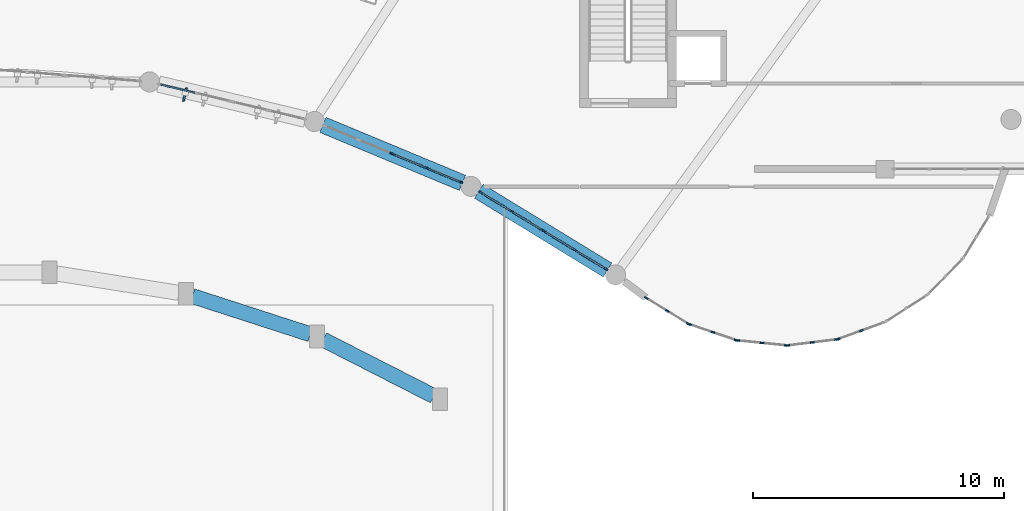
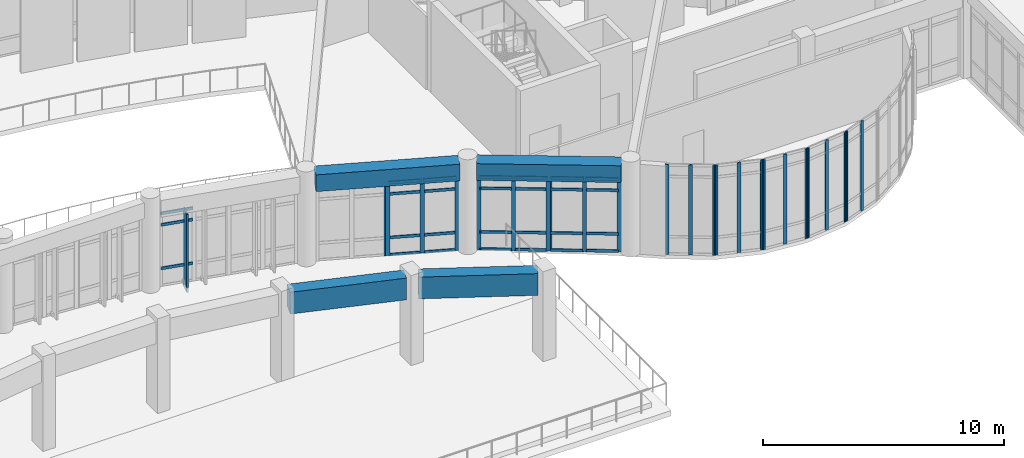
# One storey, part 15 of 65: 52 members, 4 beams, 10 elements without a shape of their own.
"""IFC4 building model written with IfcOpenShell, lengths in metres."""

from ifc_helpers import new_model, si_unit, direction, frame, origin, origin_2d, place, context, subcontext, project, spatial, rectangle, extrude, material, layer, layer_set, material_profile, profile_set, type_object, element, aggregate, save


model = new_model("IFC4")

# Units and contexts
model_context = context("Model", 3, precision=1e-05, world=origin(), true_north=direction((0.0, 1.0)))
body_context = subcontext(model_context, "Body", "Model", "MODEL_VIEW")
ifc_project = project(units=[si_unit("LENGTHUNIT", "METRE"), si_unit("AREAUNIT", "SQUARE_METRE"), si_unit("VOLUMEUNIT", "CUBIC_METRE"), si_unit("PLANEANGLEUNIT", "RADIAN"), si_unit("MASSUNIT", "GRAM", prefix="KILO")], contexts=[model_context])

# Site, building, storey
site_placement = place(None, origin())
site = spatial("IfcSite", under=ifc_project, at=site_placement, CompositionType="ELEMENT")
building_placement = place(site_placement, origin())
building = spatial("IfcBuilding", under=site, at=building_placement, Name="Miralva Faculty of Natural Sciences", CompositionType="ELEMENT")
storey_placement = place(building_placement, frame((0.0, 0.0, 10.199951171875)))
storey = spatial("IfcBuildingStorey", under=building, at=storey_placement, Name="L02", CompositionType="ELEMENT", Elevation=10.199951171875)

# Beams
ifc_material_1 = material(Name="Concrete C40/50", Category="concrete")
ifc_material_profile_1 = material_profile(ifc_material_1, rectangle(XDim=0.64990234375, YDim=0.85009765625, at=origin_2d()), Name="RC 650x850")
ifc_profile_set_1 = profile_set([ifc_material_profile_1], Name="Concrete C40/50")
beam_type_1 = type_object("IfcBeamType", Name="BM-SP03", PredefinedType="SPANDREL", material=ifc_profile_set_1)
beam_1_placement = place(storey_placement, frame((114.9560546875, 13.982177734375, 4.135009765625), z_axis=(-0.85286755932, 0.52212730848, 0.0), x_axis=(-0.52212730848, -0.85286755932, 0.0)))
element("IfcBeam", 1, at=beam_1_placement, inside=storey, type_object=beam_type_1, Name="Curved chord girder ARCIN L02-1", PredefinedType="SPANDREL", context=body_context, shape_type="SweptSolid", body=[
    extrude(rectangle(XDim=0.64990234375, YDim=0.85009765625, at=origin_2d()), origin(), (0.0, 0.0, 1.0), 6.005615234375),
])
beam_2_placement = place(storey_placement, frame((109.18017578125, 17.451416015625, 4.135009765625), z_axis=(-0.923386658192, 0.383871175621, 0.0), x_axis=(-0.383871175621, -0.923386658192, 0.0)))
element("IfcBeam", 2, at=beam_2_placement, inside=storey, type_object=beam_type_1, Name="Curved chord girder ARCIN L02-2", PredefinedType="SPANDREL", context=body_context, shape_type="SweptSolid", body=[
    extrude(rectangle(XDim=0.64990234375, YDim=0.85009765625, at=origin_2d()), origin(), (0.0, 0.0, 1.0), 6.0107421875),
])
ifc_material_profile_2 = material_profile(ifc_material_1, rectangle(XDim=0.60009765625, YDim=1.10009765625, at=origin_2d()), Name="RC 600x1100")
ifc_profile_set_2 = profile_set([ifc_material_profile_2], Name="Concrete C40/50")
beam_type_2 = type_object("IfcBeamType", Name="BM-TG01", PredefinedType="BEAM", material=ifc_profile_set_2)
beam_3_placement = place(storey_placement, frame((108.044189453125, 8.96533203125, 4.0), z_axis=(-0.890746789072, 0.454499898523, 0.0), x_axis=(-0.454499898523, -0.890746789072, 0.0)))
element("IfcBeam", 3, at=beam_3_placement, inside=storey, type_object=beam_type_2, Name="Curved chord girder SHIN L02-1", PredefinedType="BEAM", context=body_context, shape_type="SweptSolid", body=[
    extrude(rectangle(XDim=0.60009765625, YDim=1.10009765625, at=origin_2d()), origin(), (0.0, 0.0, 1.0), 4.948974609375),
])
beam_4_placement = place(storey_placement, frame((103.12744140625, 11.425048828125, 4.0), z_axis=(-0.951378867788, 0.308023132129, 0.0), x_axis=(-0.308023132129, -0.951378867788, 0.0)))
element("IfcBeam", 4, at=beam_4_placement, inside=storey, type_object=beam_type_2, Name="Curved chord girder SHIN L02-2", PredefinedType="BEAM", context=body_context, shape_type="SweptSolid", body=[
    extrude(rectangle(XDim=0.60009765625, YDim=1.10009765625, at=origin_2d()), origin(), (0.0, 0.0, 1.0), 4.934814453125),
])

# Curtain wall, member
ifc_material_2 = material(Name="Laminated solar-control glass", Category="glass")
ifc_layer_1 = layer(ifc_material_2, 0.179931640625, Name="CW-ARC-L01")
ifc_layer_set_1 = layer_set([ifc_layer_1], Name="Laminated solar-control glass")
curtain_wall_type_1 = type_object("IfcCurtainWallType", Name="CW-ARC-L01", PredefinedType="USERDEFINED", material=ifc_layer_set_1)
curtain_wall_1_placement = place(storey_placement, origin())
curtain_wall_1 = element("IfcCurtainWall", 5, at=curtain_wall_1_placement, inside=storey, type_object=curtain_wall_type_1, Name="Curtain wall CW-02 L02-73", ObjectType="UNITISED CURTAIN WALL", PredefinedType="USERDEFINED")
ifc_material_3 = material(Name="Anodised aluminium", Category="aluminium")
ifc_material_profile_3 = material_profile(ifc_material_3, rectangle(XDim=0.06494140625, YDim=0.179931640625, at=origin_2d()), Name="MULLION 65x180")
ifc_profile_set_3 = profile_set([ifc_material_profile_3], Name="Anodised aluminium")
member_type_1 = type_object("IfcMemberType", Name="CW-M01", PredefinedType="MULLION", material=ifc_profile_set_3)
member_1_placement = place(storey_placement, frame((106.374755859375, 18.616943359375, 0.0), z_axis=(0.0, 0.0, 1.0), x_axis=(0.382656259046, 0.9238907876, 0.0)))
member_1 = element("IfcMember", 6, at=member_1_placement, type_object=member_type_1, Name="CW-02 mullion 3", PredefinedType="MULLION", context=body_context, shape_type="SweptSolid", body=[
    extrude(rectangle(XDim=0.06494140625, YDim=0.179931640625, at=origin_2d()), origin(), (0.0, 0.0, 1.0), 3.705078125),
])
aggregate(curtain_wall_1, [member_1])

# Curtain wall, members
curtain_wall_2_placement = place(storey_placement, origin())
curtain_wall_2 = element("IfcCurtainWall", 7, at=curtain_wall_2_placement, inside=storey, type_object=curtain_wall_type_1, Name="Curtain wall CW-02 L02-74", ObjectType="UNITISED CURTAIN WALL", PredefinedType="USERDEFINED")
member_2_placement = place(storey_placement, frame((106.43017578125, 18.59375, 0.0), z_axis=(0.0, 0.0, 1.0), x_axis=(0.382695483705, 0.923874540591, 0.0)))
member_2 = element("IfcMember", 8, at=member_2_placement, type_object=member_type_1, Name="CW-02 mullion 1", PredefinedType="MULLION", context=body_context, shape_type="SweptSolid", body=[
    extrude(rectangle(XDim=0.06494140625, YDim=0.179931640625, at=origin_2d()), origin(), (0.0, 0.0, 1.0), 3.705078125),
])
member_3_placement = place(storey_placement, frame((107.76904296875, 18.039306640625, 0.0), z_axis=(0.0, 0.0, 1.0), x_axis=(0.382695483705, 0.923874540591, 0.0)))
member_3 = element("IfcMember", 9, at=member_3_placement, type_object=member_type_1, Name="CW-02 mullion 2", PredefinedType="MULLION", context=body_context, shape_type="SweptSolid", body=[
    extrude(rectangle(XDim=0.06494140625, YDim=0.179931640625, at=origin_2d()), origin(), (0.0, 0.0, 1.0), 3.705078125),
])
member_4_placement = place(storey_placement, frame((109.108154296875, 17.484619140625, 0.0), z_axis=(0.0, 0.0, 1.0), x_axis=(0.382695483705, 0.923874540591, 0.0)))
member_4 = element("IfcMember", 10, at=member_4_placement, type_object=member_type_1, Name="CW-02 mullion 3", PredefinedType="MULLION", context=body_context, shape_type="SweptSolid", body=[
    extrude(rectangle(XDim=0.06494140625, YDim=0.179931640625, at=origin_2d()), origin(), (0.0, 0.0, 1.0), 3.705078125),
])

curtain_wall_3_placement = place(storey_placement, origin())
curtain_wall_3 = element("IfcCurtainWall", 11, at=curtain_wall_3_placement, inside=storey, type_object=curtain_wall_type_1, Name="Curtain wall CW-02 L02-75", ObjectType="UNITISED CURTAIN WALL", PredefinedType="USERDEFINED")
member_5_placement = place(storey_placement, frame((109.91162109375, 17.07421875, 0.0), z_axis=(0.0, 0.0, 1.0), x_axis=(0.522482534269, 0.852649987617, 0.0)))
member_5 = element("IfcMember", 12, at=member_5_placement, type_object=member_type_1, Name="CW-02 mullion 1", PredefinedType="MULLION", context=body_context, shape_type="SweptSolid", body=[
    extrude(rectangle(XDim=0.06494140625, YDim=0.179931640625, at=origin_2d()), origin(), (0.0, 0.0, 1.0), 3.705078125),
])
member_6_placement = place(storey_placement, frame((111.14111328125, 16.32080078125, 0.0), z_axis=(0.0, 0.0, 1.0), x_axis=(0.522482534269, 0.852649987617, 0.0)))
member_6 = element("IfcMember", 13, at=member_6_placement, type_object=member_type_1, Name="CW-02 mullion 2", PredefinedType="MULLION", context=body_context, shape_type="SweptSolid", body=[
    extrude(rectangle(XDim=0.06494140625, YDim=0.179931640625, at=origin_2d()), origin(), (0.0, 0.0, 1.0), 3.705078125),
])
member_7_placement = place(storey_placement, frame((112.37060546875, 15.5673828125, 0.0), z_axis=(0.0, 0.0, 1.0), x_axis=(0.522482534269, 0.852649987617, 0.0)))
member_7 = element("IfcMember", 14, at=member_7_placement, type_object=member_type_1, Name="CW-02 mullion 3", PredefinedType="MULLION", context=body_context, shape_type="SweptSolid", body=[
    extrude(rectangle(XDim=0.06494140625, YDim=0.179931640625, at=origin_2d()), origin(), (0.0, 0.0, 1.0), 3.705078125),
])

curtain_wall_4_placement = place(storey_placement, origin())
curtain_wall_4 = element("IfcCurtainWall", 15, at=curtain_wall_4_placement, inside=storey, type_object=curtain_wall_type_1, Name="Curtain wall CW-02 L02-76", ObjectType="UNITISED CURTAIN WALL", PredefinedType="USERDEFINED")
member_8_placement = place(storey_placement, frame((112.421630859375, 15.5361328125, 0.0), z_axis=(0.0, 0.0, 1.0), x_axis=(0.522489018681, 0.852646014098, 0.0)))
member_8 = element("IfcMember", 16, at=member_8_placement, type_object=member_type_1, Name="CW-02 mullion 1", PredefinedType="MULLION", context=body_context, shape_type="SweptSolid", body=[
    extrude(rectangle(XDim=0.06494140625, YDim=0.179931640625, at=origin_2d()), origin(), (0.0, 0.0, 1.0), 3.705078125),
])
member_9_placement = place(storey_placement, frame((113.653076171875, 14.781494140625, 0.0), z_axis=(0.0, 0.0, 1.0), x_axis=(0.522489018681, 0.852646014098, 0.0)))
member_9 = element("IfcMember", 17, at=member_9_placement, type_object=member_type_1, Name="CW-02 mullion 2", PredefinedType="MULLION", context=body_context, shape_type="SweptSolid", body=[
    extrude(rectangle(XDim=0.06494140625, YDim=0.179931640625, at=origin_2d()), origin(), (0.0, 0.0, 1.0), 3.705078125),
])
member_10_placement = place(storey_placement, frame((114.884765625, 14.02685546875, 0.0), z_axis=(0.0, 0.0, 1.0), x_axis=(0.522489018681, 0.852646014098, 0.0)))
member_10 = element("IfcMember", 18, at=member_10_placement, type_object=member_type_1, Name="CW-02 mullion 3", PredefinedType="MULLION", context=body_context, shape_type="SweptSolid", body=[
    extrude(rectangle(XDim=0.06494140625, YDim=0.179931640625, at=origin_2d()), origin(), (0.0, 0.0, 1.0), 3.705078125),
])

ifc_layer_2 = layer(ifc_material_2, 0.179931640625, Name="CW-RND-L01")
ifc_layer_set_2 = layer_set([ifc_layer_2], Name="Laminated solar-control glass")
curtain_wall_type_2 = type_object("IfcCurtainWallType", Name="CW-RND-L01", PredefinedType="USERDEFINED", material=ifc_layer_set_2)
curtain_wall_5_placement = place(storey_placement, origin())
curtain_wall_5 = element("IfcCurtainWall", 19, at=curtain_wall_5_placement, inside=storey, type_object=curtain_wall_type_2, Name="Curtain wall CW-05 L02-104", ObjectType="UNITISED CURTAIN WALL", PredefinedType="USERDEFINED")
ifc_material_profile_4 = material_profile(ifc_material_3, rectangle(XDim=0.06494140625, YDim=0.159912109375, at=origin_2d()), Name="MULLION 65x160")
ifc_profile_set_4 = profile_set([ifc_material_profile_4], Name="Anodised aluminium")
member_type_2 = type_object("IfcMemberType", Name="CW-M02", PredefinedType="MULLION", material=ifc_profile_set_4)
member_11_placement = place(storey_placement, frame((124.135009765625, 11.233642578125, 0.0), z_axis=(0.0, 0.0, 1.0), x_axis=(-0.339695547876, 0.940535451088, 0.0)))
member_11 = element("IfcMember", 20, at=member_11_placement, type_object=member_type_2, Name="CW-05 mullion 1", PredefinedType="MULLION", context=body_context, shape_type="SweptSolid", body=[
    extrude(rectangle(XDim=0.06494140625, YDim=0.159912109375, at=origin_2d()), origin(), (0.0, 0.0, 1.0), 4.550048828125),
])
member_12_placement = place(storey_placement, frame((125.0546875, 11.565673828125, 0.0), z_axis=(0.0, 0.0, 1.0), x_axis=(-0.339695547876, 0.940535451088, 0.0)))
member_12 = element("IfcMember", 21, at=member_12_placement, type_object=member_type_2, Name="CW-05 mullion 2", PredefinedType="MULLION", context=body_context, shape_type="SweptSolid", body=[
    extrude(rectangle(XDim=0.06494140625, YDim=0.159912109375, at=origin_2d()), origin(), (0.0, 0.0, 1.0), 4.550048828125),
])
aggregate(curtain_wall_5, [member_11, member_12])

curtain_wall_6_placement = place(storey_placement, origin())
curtain_wall_6 = element("IfcCurtainWall", 22, at=curtain_wall_6_placement, inside=storey, type_object=curtain_wall_type_2, Name="Curtain wall CW-05 L02-105", ObjectType="UNITISED CURTAIN WALL", PredefinedType="USERDEFINED")
member_13_placement = place(storey_placement, frame((122.136474609375, 10.98095703125, 0.0), z_axis=(0.0, 0.0, 1.0), x_axis=(-0.121859649701, 0.99254734183, 0.0)))
member_13 = element("IfcMember", 23, at=member_13_placement, type_object=member_type_2, Name="CW-05 mullion 1", PredefinedType="MULLION", context=body_context, shape_type="SweptSolid", body=[
    extrude(rectangle(XDim=0.06494140625, YDim=0.159912109375, at=origin_2d()), origin(), (0.0, 0.0, 1.0), 4.550048828125),
])
member_14_placement = place(storey_placement, frame((123.10693359375, 11.10009765625, 0.0), z_axis=(0.0, 0.0, 1.0), x_axis=(-0.121859649701, 0.99254734183, 0.0)))
member_14 = element("IfcMember", 24, at=member_14_placement, type_object=member_type_2, Name="CW-05 mullion 2", PredefinedType="MULLION", context=body_context, shape_type="SweptSolid", body=[
    extrude(rectangle(XDim=0.06494140625, YDim=0.159912109375, at=origin_2d()), origin(), (0.0, 0.0, 1.0), 4.550048828125),
])
member_15_placement = place(storey_placement, frame((124.0771484375, 11.21923828125, 0.0), z_axis=(0.0, 0.0, 1.0), x_axis=(-0.121859649701, 0.99254734183, 0.0)))
member_15 = element("IfcMember", 25, at=member_15_placement, type_object=member_type_2, Name="CW-05 mullion 3", PredefinedType="MULLION", context=body_context, shape_type="SweptSolid", body=[
    extrude(rectangle(XDim=0.06494140625, YDim=0.159912109375, at=origin_2d()), origin(), (0.0, 0.0, 1.0), 4.550048828125),
])
aggregate(curtain_wall_6, [member_13, member_14, member_15])

curtain_wall_7_placement = place(storey_placement, origin())
curtain_wall_7 = element("IfcCurtainWall", 26, at=curtain_wall_7_placement, inside=storey, type_object=curtain_wall_type_2, Name="Curtain wall CW-05 L02-106", ObjectType="UNITISED CURTAIN WALL", PredefinedType="USERDEFINED")
member_16_placement = place(storey_placement, frame((120.131591796875, 11.179443359375, 0.0), z_axis=(0.0, 0.0, 1.0), x_axis=(0.102056494477, 0.994778604482, 0.0)))
member_16 = element("IfcMember", 27, at=member_16_placement, type_object=member_type_2, Name="CW-05 mullion 1", PredefinedType="MULLION", context=body_context, shape_type="SweptSolid", body=[
    extrude(rectangle(XDim=0.06494140625, YDim=0.159912109375, at=origin_2d()), origin(), (0.0, 0.0, 1.0), 4.550048828125),
])
member_17_placement = place(storey_placement, frame((121.104248046875, 11.07958984375, 0.0), z_axis=(0.0, 0.0, 1.0), x_axis=(0.102056494477, 0.994778604482, 0.0)))
member_17 = element("IfcMember", 28, at=member_17_placement, type_object=member_type_2, Name="CW-05 mullion 2", PredefinedType="MULLION", context=body_context, shape_type="SweptSolid", body=[
    extrude(rectangle(XDim=0.06494140625, YDim=0.159912109375, at=origin_2d()), origin(), (0.0, 0.0, 1.0), 4.550048828125),
])
member_18_placement = place(storey_placement, frame((122.076904296875, 10.979736328125, 0.0), z_axis=(0.0, 0.0, 1.0), x_axis=(0.102056494477, 0.994778604482, 0.0)))
member_18 = element("IfcMember", 29, at=member_18_placement, type_object=member_type_2, Name="CW-05 mullion 3", PredefinedType="MULLION", context=body_context, shape_type="SweptSolid", body=[
    extrude(rectangle(XDim=0.06494140625, YDim=0.159912109375, at=origin_2d()), origin(), (0.0, 0.0, 1.0), 4.550048828125),
])
aggregate(curtain_wall_7, [member_16, member_17, member_18])

curtain_wall_8_placement = place(storey_placement, origin())
curtain_wall_8 = element("IfcCurtainWall", 30, at=curtain_wall_8_placement, inside=storey, type_object=curtain_wall_type_2, Name="Curtain wall CW-05 L02-107", ObjectType="UNITISED CURTAIN WALL", PredefinedType="USERDEFINED")
member_19_placement = place(storey_placement, frame((118.22119140625, 11.81884765625, 0.0), z_axis=(0.0, 0.0, 1.0), x_axis=(0.320842126361, 0.947132688672, 0.0)))
member_19 = element("IfcMember", 31, at=member_19_placement, type_object=member_type_2, Name="CW-05 mullion 1", PredefinedType="MULLION", context=body_context, shape_type="SweptSolid", body=[
    extrude(rectangle(XDim=0.06494140625, YDim=0.159912109375, at=origin_2d()), origin(), (0.0, 0.0, 1.0), 4.550048828125),
])
member_20_placement = place(storey_placement, frame((119.147216796875, 11.505126953125, 0.0), z_axis=(0.0, 0.0, 1.0), x_axis=(0.320842126361, 0.947132688672, 0.0)))
member_20 = element("IfcMember", 32, at=member_20_placement, type_object=member_type_2, Name="CW-05 mullion 2", PredefinedType="MULLION", context=body_context, shape_type="SweptSolid", body=[
    extrude(rectangle(XDim=0.06494140625, YDim=0.159912109375, at=origin_2d()), origin(), (0.0, 0.0, 1.0), 4.550048828125),
])
member_21_placement = place(storey_placement, frame((120.0732421875, 11.19140625, 0.0), z_axis=(0.0, 0.0, 1.0), x_axis=(0.320842126361, 0.947132688672, 0.0)))
member_21 = element("IfcMember", 33, at=member_21_placement, type_object=member_type_2, Name="CW-05 mullion 3", PredefinedType="MULLION", context=body_context, shape_type="SweptSolid", body=[
    extrude(rectangle(XDim=0.06494140625, YDim=0.159912109375, at=origin_2d()), origin(), (0.0, 0.0, 1.0), 4.550048828125),
])
aggregate(curtain_wall_8, [member_19, member_20, member_21])

curtain_wall_9_placement = place(storey_placement, origin())
curtain_wall_9 = element("IfcCurtainWall", 34, at=curtain_wall_9_placement, inside=storey, type_object=curtain_wall_type_2, Name="Curtain wall CW-05 L02-108", ObjectType="UNITISED CURTAIN WALL", PredefinedType="USERDEFINED")
member_22_placement = place(storey_placement, frame((116.496826171875, 12.8701171875, 0.0), z_axis=(0.0, 0.0, 1.0), x_axis=(0.523535366458, 0.852003943693, 0.0)))
member_22 = element("IfcMember", 35, at=member_22_placement, type_object=member_type_2, Name="CW-05 mullion 1", PredefinedType="MULLION", context=body_context, shape_type="SweptSolid", body=[
    extrude(rectangle(XDim=0.06494140625, YDim=0.159912109375, at=origin_2d()), origin(), (0.0, 0.0, 1.0), 4.550048828125),
])
member_23_placement = place(storey_placement, frame((117.33203125, 12.35693359375, 0.0), z_axis=(0.0, 0.0, 1.0), x_axis=(0.523535366458, 0.852003943693, 0.0)))
member_23 = element("IfcMember", 36, at=member_23_placement, type_object=member_type_2, Name="CW-05 mullion 2", PredefinedType="MULLION", context=body_context, shape_type="SweptSolid", body=[
    extrude(rectangle(XDim=0.06494140625, YDim=0.159912109375, at=origin_2d()), origin(), (0.0, 0.0, 1.0), 4.550048828125),
])
member_24_placement = place(storey_placement, frame((118.1669921875, 11.84375, 0.0), z_axis=(0.0, 0.0, 1.0), x_axis=(0.523535366458, 0.852003943693, 0.0)))
member_24 = element("IfcMember", 37, at=member_24_placement, type_object=member_type_2, Name="CW-05 mullion 3", PredefinedType="MULLION", context=body_context, shape_type="SweptSolid", body=[
    extrude(rectangle(XDim=0.06494140625, YDim=0.159912109375, at=origin_2d()), origin(), (0.0, 0.0, 1.0), 4.550048828125),
])
aggregate(curtain_wall_9, [member_22, member_23, member_24])

curtain_wall_10_placement = place(storey_placement, origin())
curtain_wall_10 = element("IfcCurtainWall", 38, at=curtain_wall_10_placement, inside=storey, type_object=curtain_wall_type_1, Name="Curtain wall CW-02 L02-71", ObjectType="UNITISED CURTAIN WALL", PredefinedType="USERDEFINED")
ifc_material_profile_5 = material_profile(ifc_material_3, rectangle(XDim=0.06494140625, YDim=0.139892578125, at=origin_2d()), Name="TRANSOM 65x140")
ifc_profile_set_5 = profile_set([ifc_material_profile_5], Name="Anodised aluminium")
member_type_3 = type_object("IfcMemberType", Name="CW-T01", PredefinedType="USERDEFINED", material=ifc_profile_set_5)
member_25_placement = place(storey_placement, frame((97.174072265625, 21.36328125, 0.900146484375), z_axis=(0.97236022589, -0.233485740693, 0.0), x_axis=(0.233485740693, 0.97236022589, 0.0)))
member_25 = element("IfcMember", 39, at=member_25_placement, type_object=member_type_3, Name="CW-02 transom 1.2", ObjectType="TRANSOM", PredefinedType="USERDEFINED", context=body_context, shape_type="SweptSolid", body=[
    extrude(rectangle(XDim=0.06494140625, YDim=0.139892578125, at=origin_2d()), origin(), (0.0, 0.0, 1.0), 1.391845703125),
])
member_26_placement = place(storey_placement, frame((97.174072265625, 21.36328125, 3.10498046875), z_axis=(0.97236022589, -0.233485740693, 0.0), x_axis=(0.233485740693, 0.97236022589, 0.0)))
member_26 = element("IfcMember", 40, at=member_26_placement, type_object=member_type_3, Name="CW-02 transom 1.3", ObjectType="TRANSOM", PredefinedType="USERDEFINED", context=body_context, shape_type="SweptSolid", body=[
    extrude(rectangle(XDim=0.06494140625, YDim=0.139892578125, at=origin_2d()), origin(), (0.0, 0.0, 1.0), 1.391845703125),
])
member_27_placement = place(storey_placement, frame((97.174072265625, 21.36328125, 3.672607421875), z_axis=(0.97236022589, -0.233485740693, 0.0), x_axis=(0.233485740693, 0.97236022589, 0.0)))
member_27 = element("IfcMember", 41, at=member_27_placement, type_object=member_type_3, Name="CW-02 transom 1.4", ObjectType="TRANSOM", PredefinedType="USERDEFINED", context=body_context, shape_type="SweptSolid", body=[
    extrude(rectangle(XDim=0.06494140625, YDim=0.139892578125, at=origin_2d()), origin(), (0.0, 0.0, 1.0), 1.391845703125),
])
aggregate(curtain_wall_10, [member_25, member_26, member_27])

# Member
member_28_placement = place(storey_placement, frame((106.460205078125, 18.58154296875, 0.032470703125), z_axis=(0.923857745483, -0.38273602667, 0.0), x_axis=(0.38273602667, 0.923857745483, 0.0)))
member_28 = element("IfcMember", 42, at=member_28_placement, type_object=member_type_3, Name="CW-02 transom 1.1", ObjectType="TRANSOM", PredefinedType="USERDEFINED", context=body_context, shape_type="SweptSolid", body=[
    extrude(rectangle(XDim=0.06494140625, YDim=0.139892578125, at=origin_2d()), origin(), (0.0, 0.0, 1.0), 1.38427734375),
])

member_29_placement = place(storey_placement, frame((106.460205078125, 18.58154296875, 0.900146484375), z_axis=(0.923857745483, -0.38273602667, 0.0), x_axis=(0.38273602667, 0.923857745483, 0.0)))
member_29 = element("IfcMember", 43, at=member_29_placement, type_object=member_type_3, Name="CW-02 transom 1.2", ObjectType="TRANSOM", PredefinedType="USERDEFINED", context=body_context, shape_type="SweptSolid", body=[
    extrude(rectangle(XDim=0.06494140625, YDim=0.139892578125, at=origin_2d()), origin(), (0.0, 0.0, 1.0), 1.38427734375),
])

member_30_placement = place(storey_placement, frame((106.460205078125, 18.58154296875, 3.10498046875), z_axis=(0.923857745483, -0.38273602667, 0.0), x_axis=(0.38273602667, 0.923857745483, 0.0)))
member_30 = element("IfcMember", 44, at=member_30_placement, type_object=member_type_3, Name="CW-02 transom 1.3", ObjectType="TRANSOM", PredefinedType="USERDEFINED", context=body_context, shape_type="SweptSolid", body=[
    extrude(rectangle(XDim=0.06494140625, YDim=0.139892578125, at=origin_2d()), origin(), (0.0, 0.0, 1.0), 1.38427734375),
])

member_31_placement = place(storey_placement, frame((106.460205078125, 18.58154296875, 3.672607421875), z_axis=(0.923857745483, -0.38273602667, 0.0), x_axis=(0.38273602667, 0.923857745483, 0.0)))
member_31 = element("IfcMember", 45, at=member_31_placement, type_object=member_type_3, Name="CW-02 transom 1.4", ObjectType="TRANSOM", PredefinedType="USERDEFINED", context=body_context, shape_type="SweptSolid", body=[
    extrude(rectangle(XDim=0.06494140625, YDim=0.139892578125, at=origin_2d()), origin(), (0.0, 0.0, 1.0), 1.38427734375),
])

member_32_placement = place(storey_placement, frame((107.799072265625, 18.02685546875, 0.032470703125), z_axis=(0.923883575944, -0.382673670509, 0.0), x_axis=(0.382673670509, 0.923883575944, 0.0)))
member_32 = element("IfcMember", 46, at=member_32_placement, type_object=member_type_3, Name="CW-02 transom 2.1", ObjectType="TRANSOM", PredefinedType="USERDEFINED", context=body_context, shape_type="SweptSolid", body=[
    extrude(rectangle(XDim=0.06494140625, YDim=0.139892578125, at=origin_2d()), origin(), (0.0, 0.0, 1.0), 1.384521484375),
])

member_33_placement = place(storey_placement, frame((107.799072265625, 18.02685546875, 0.900146484375), z_axis=(0.923883575944, -0.382673670509, 0.0), x_axis=(0.382673670509, 0.923883575944, 0.0)))
member_33 = element("IfcMember", 47, at=member_33_placement, type_object=member_type_3, Name="CW-02 transom 2.2", ObjectType="TRANSOM", PredefinedType="USERDEFINED", context=body_context, shape_type="SweptSolid", body=[
    extrude(rectangle(XDim=0.06494140625, YDim=0.139892578125, at=origin_2d()), origin(), (0.0, 0.0, 1.0), 1.384521484375),
])

member_34_placement = place(storey_placement, frame((107.799072265625, 18.02685546875, 3.10498046875), z_axis=(0.923883575944, -0.382673670509, 0.0), x_axis=(0.382673670509, 0.923883575944, 0.0)))
member_34 = element("IfcMember", 48, at=member_34_placement, type_object=member_type_3, Name="CW-02 transom 2.3", ObjectType="TRANSOM", PredefinedType="USERDEFINED", context=body_context, shape_type="SweptSolid", body=[
    extrude(rectangle(XDim=0.06494140625, YDim=0.139892578125, at=origin_2d()), origin(), (0.0, 0.0, 1.0), 1.384521484375),
])

member_35_placement = place(storey_placement, frame((107.799072265625, 18.02685546875, 3.672607421875), z_axis=(0.923883575944, -0.382673670509, 0.0), x_axis=(0.382673670509, 0.923883575944, 0.0)))
member_35 = element("IfcMember", 49, at=member_35_placement, type_object=member_type_3, Name="CW-02 transom 2.4", ObjectType="TRANSOM", PredefinedType="USERDEFINED", context=body_context, shape_type="SweptSolid", body=[
    extrude(rectangle(XDim=0.06494140625, YDim=0.139892578125, at=origin_2d()), origin(), (0.0, 0.0, 1.0), 1.384521484375),
])

aggregate(curtain_wall_2, [member_2, member_3, member_4, member_28, member_29, member_30, member_31, member_32, member_33, member_34, member_35])

member_36_placement = place(storey_placement, frame((109.939208984375, 17.05712890625, 0.032470703125), z_axis=(0.852715910973, -0.522374937352, 0.0), x_axis=(0.522374937352, 0.852715910973, 0.0)))
member_36 = element("IfcMember", 50, at=member_36_placement, type_object=member_type_3, Name="CW-02 transom 1.1", ObjectType="TRANSOM", PredefinedType="USERDEFINED", context=body_context, shape_type="SweptSolid", body=[
    extrude(rectangle(XDim=0.06494140625, YDim=0.139892578125, at=origin_2d()), origin(), (0.0, 0.0, 1.0), 1.376953125),
])

member_37_placement = place(storey_placement, frame((109.939208984375, 17.05712890625, 0.900146484375), z_axis=(0.852715910973, -0.522374937352, 0.0), x_axis=(0.522374937352, 0.852715910973, 0.0)))
member_37 = element("IfcMember", 51, at=member_37_placement, type_object=member_type_3, Name="CW-02 transom 1.2", ObjectType="TRANSOM", PredefinedType="USERDEFINED", context=body_context, shape_type="SweptSolid", body=[
    extrude(rectangle(XDim=0.06494140625, YDim=0.139892578125, at=origin_2d()), origin(), (0.0, 0.0, 1.0), 1.376953125),
])

member_38_placement = place(storey_placement, frame((109.939208984375, 17.05712890625, 3.10498046875), z_axis=(0.852715910973, -0.522374937352, 0.0), x_axis=(0.522374937352, 0.852715910973, 0.0)))
member_38 = element("IfcMember", 52, at=member_38_placement, type_object=member_type_3, Name="CW-02 transom 1.3", ObjectType="TRANSOM", PredefinedType="USERDEFINED", context=body_context, shape_type="SweptSolid", body=[
    extrude(rectangle(XDim=0.06494140625, YDim=0.139892578125, at=origin_2d()), origin(), (0.0, 0.0, 1.0), 1.376953125),
])

member_39_placement = place(storey_placement, frame((109.939208984375, 17.05712890625, 3.672607421875), z_axis=(0.852715910973, -0.522374937352, 0.0), x_axis=(0.522374937352, 0.852715910973, 0.0)))
member_39 = element("IfcMember", 53, at=member_39_placement, type_object=member_type_3, Name="CW-02 transom 1.4", ObjectType="TRANSOM", PredefinedType="USERDEFINED", context=body_context, shape_type="SweptSolid", body=[
    extrude(rectangle(XDim=0.06494140625, YDim=0.139892578125, at=origin_2d()), origin(), (0.0, 0.0, 1.0), 1.376953125),
])

member_40_placement = place(storey_placement, frame((111.168701171875, 16.303955078125, 0.032470703125), z_axis=(0.852636925059, -0.522503850728, 0.0), x_axis=(0.522503850728, 0.852636925059, 0.0)))
member_40 = element("IfcMember", 54, at=member_40_placement, type_object=member_type_3, Name="CW-02 transom 2.1", ObjectType="TRANSOM", PredefinedType="USERDEFINED", context=body_context, shape_type="SweptSolid", body=[
    extrude(rectangle(XDim=0.06494140625, YDim=0.139892578125, at=origin_2d()), origin(), (0.0, 0.0, 1.0), 1.376953125),
])

member_41_placement = place(storey_placement, frame((111.168701171875, 16.303955078125, 0.900146484375), z_axis=(0.852636925059, -0.522503850728, 0.0), x_axis=(0.522503850728, 0.852636925059, 0.0)))
member_41 = element("IfcMember", 55, at=member_41_placement, type_object=member_type_3, Name="CW-02 transom 2.2", ObjectType="TRANSOM", PredefinedType="USERDEFINED", context=body_context, shape_type="SweptSolid", body=[
    extrude(rectangle(XDim=0.06494140625, YDim=0.139892578125, at=origin_2d()), origin(), (0.0, 0.0, 1.0), 1.376953125),
])

member_42_placement = place(storey_placement, frame((111.168701171875, 16.303955078125, 3.10498046875), z_axis=(0.852636925059, -0.522503850728, 0.0), x_axis=(0.522503850728, 0.852636925059, 0.0)))
member_42 = element("IfcMember", 56, at=member_42_placement, type_object=member_type_3, Name="CW-02 transom 2.3", ObjectType="TRANSOM", PredefinedType="USERDEFINED", context=body_context, shape_type="SweptSolid", body=[
    extrude(rectangle(XDim=0.06494140625, YDim=0.139892578125, at=origin_2d()), origin(), (0.0, 0.0, 1.0), 1.376953125),
])

member_43_placement = place(storey_placement, frame((111.168701171875, 16.303955078125, 3.672607421875), z_axis=(0.852636925059, -0.522503850728, 0.0), x_axis=(0.522503850728, 0.852636925059, 0.0)))
member_43 = element("IfcMember", 57, at=member_43_placement, type_object=member_type_3, Name="CW-02 transom 2.4", ObjectType="TRANSOM", PredefinedType="USERDEFINED", context=body_context, shape_type="SweptSolid", body=[
    extrude(rectangle(XDim=0.06494140625, YDim=0.139892578125, at=origin_2d()), origin(), (0.0, 0.0, 1.0), 1.376953125),
])

aggregate(curtain_wall_3, [member_5, member_6, member_7, member_36, member_37, member_38, member_39, member_40, member_41, member_42, member_43])

member_44_placement = place(storey_placement, frame((112.44921875, 15.51904296875, 0.032470703125), z_axis=(0.852677549803, -0.522437552308, 0.0), x_axis=(0.522437552308, 0.852677549803, 0.0)))
member_44 = element("IfcMember", 58, at=member_44_placement, type_object=member_type_3, Name="CW-02 transom 1.1", ObjectType="TRANSOM", PredefinedType="USERDEFINED", context=body_context, shape_type="SweptSolid", body=[
    extrude(rectangle(XDim=0.06494140625, YDim=0.139892578125, at=origin_2d()), origin(), (0.0, 0.0, 1.0), 1.37939453125),
])

member_45_placement = place(storey_placement, frame((112.44921875, 15.51904296875, 0.900146484375), z_axis=(0.852677549803, -0.522437552308, 0.0), x_axis=(0.522437552308, 0.852677549803, 0.0)))
member_45 = element("IfcMember", 59, at=member_45_placement, type_object=member_type_3, Name="CW-02 transom 1.2", ObjectType="TRANSOM", PredefinedType="USERDEFINED", context=body_context, shape_type="SweptSolid", body=[
    extrude(rectangle(XDim=0.06494140625, YDim=0.139892578125, at=origin_2d()), origin(), (0.0, 0.0, 1.0), 1.37939453125),
])

member_46_placement = place(storey_placement, frame((112.44921875, 15.51904296875, 3.10498046875), z_axis=(0.852677549803, -0.522437552308, 0.0), x_axis=(0.522437552308, 0.852677549803, 0.0)))
member_46 = element("IfcMember", 60, at=member_46_placement, type_object=member_type_3, Name="CW-02 transom 1.3", ObjectType="TRANSOM", PredefinedType="USERDEFINED", context=body_context, shape_type="SweptSolid", body=[
    extrude(rectangle(XDim=0.06494140625, YDim=0.139892578125, at=origin_2d()), origin(), (0.0, 0.0, 1.0), 1.37939453125),
])

member_47_placement = place(storey_placement, frame((112.44921875, 15.51904296875, 3.672607421875), z_axis=(0.852677549803, -0.522437552308, 0.0), x_axis=(0.522437552308, 0.852677549803, 0.0)))
member_47 = element("IfcMember", 61, at=member_47_placement, type_object=member_type_3, Name="CW-02 transom 1.4", ObjectType="TRANSOM", PredefinedType="USERDEFINED", context=body_context, shape_type="SweptSolid", body=[
    extrude(rectangle(XDim=0.06494140625, YDim=0.139892578125, at=origin_2d()), origin(), (0.0, 0.0, 1.0), 1.37939453125),
])

member_48_placement = place(storey_placement, frame((113.680908203125, 14.764404296875, 0.032470703125), z_axis=(0.852629234455, -0.522516400272, 0.0), x_axis=(0.522516400272, 0.852629234455, 0.0)))
member_48 = element("IfcMember", 62, at=member_48_placement, type_object=member_type_3, Name="CW-02 transom 2.1", ObjectType="TRANSOM", PredefinedType="USERDEFINED", context=body_context, shape_type="SweptSolid", body=[
    extrude(rectangle(XDim=0.06494140625, YDim=0.139892578125, at=origin_2d()), origin(), (0.0, 0.0, 1.0), 1.37939453125),
])

member_49_placement = place(storey_placement, frame((113.680908203125, 14.764404296875, 0.900146484375), z_axis=(0.852629234455, -0.522516400272, 0.0), x_axis=(0.522516400272, 0.852629234455, 0.0)))
member_49 = element("IfcMember", 63, at=member_49_placement, type_object=member_type_3, Name="CW-02 transom 2.2", ObjectType="TRANSOM", PredefinedType="USERDEFINED", context=body_context, shape_type="SweptSolid", body=[
    extrude(rectangle(XDim=0.06494140625, YDim=0.139892578125, at=origin_2d()), origin(), (0.0, 0.0, 1.0), 1.37939453125),
])

member_50_placement = place(storey_placement, frame((113.680908203125, 14.764404296875, 3.10498046875), z_axis=(0.852629234455, -0.522516400272, 0.0), x_axis=(0.522516400272, 0.852629234455, 0.0)))
member_50 = element("IfcMember", 64, at=member_50_placement, type_object=member_type_3, Name="CW-02 transom 2.3", ObjectType="TRANSOM", PredefinedType="USERDEFINED", context=body_context, shape_type="SweptSolid", body=[
    extrude(rectangle(XDim=0.06494140625, YDim=0.139892578125, at=origin_2d()), origin(), (0.0, 0.0, 1.0), 1.37939453125),
])

member_51_placement = place(storey_placement, frame((113.680908203125, 14.764404296875, 3.672607421875), z_axis=(0.852629234455, -0.522516400272, 0.0), x_axis=(0.522516400272, 0.852629234455, 0.0)))
member_51 = element("IfcMember", 65, at=member_51_placement, type_object=member_type_3, Name="CW-02 transom 2.4", ObjectType="TRANSOM", PredefinedType="USERDEFINED", context=body_context, shape_type="SweptSolid", body=[
    extrude(rectangle(XDim=0.06494140625, YDim=0.139892578125, at=origin_2d()), origin(), (0.0, 0.0, 1.0), 1.37939453125),
])

aggregate(curtain_wall_4, [member_8, member_9, member_10, member_44, member_45, member_46, member_47, member_48, member_49, member_50, member_51])

ifc_material_profile_6 = material_profile(ifc_material_3, rectangle(XDim=0.080078125, YDim=0.550048828125, at=origin_2d()), Name="FIN 550x80")
ifc_profile_set_6 = profile_set([ifc_material_profile_6], Name="Anodised aluminium")
member_type_4 = type_object("IfcMemberType", Name="MEM-SF01", PredefinedType="USERDEFINED", material=ifc_profile_set_6)
member_52_placement = place(storey_placement, frame((98.137939453125, 20.96728515625, -0.239990234375), z_axis=(0.0, 0.0, 1.0), x_axis=(0.972369920398, -0.233445363856, 0.0)))
element("IfcMember", 66, at=member_52_placement, inside=storey, type_object=member_type_4, Name="Solar shading fin SF-01 L02-33", ObjectType="SUNSHADE", PredefinedType="USERDEFINED", context=body_context, shape_type="SweptSolid", body=[
    extrude(rectangle(XDim=0.080078125, YDim=0.550048828125, at=origin_2d()), origin(), (0.0, 0.0, 1.0), 3.945068359375),
])

save(model, "model.ifc")
